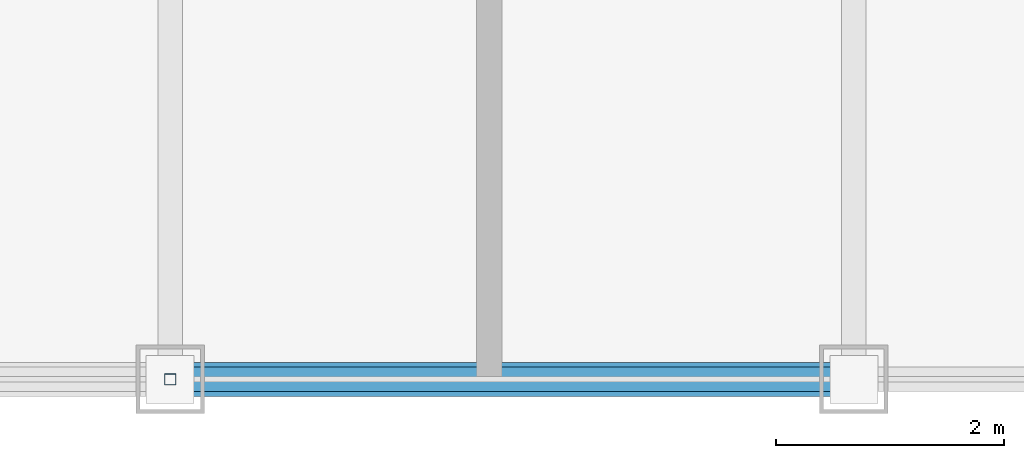
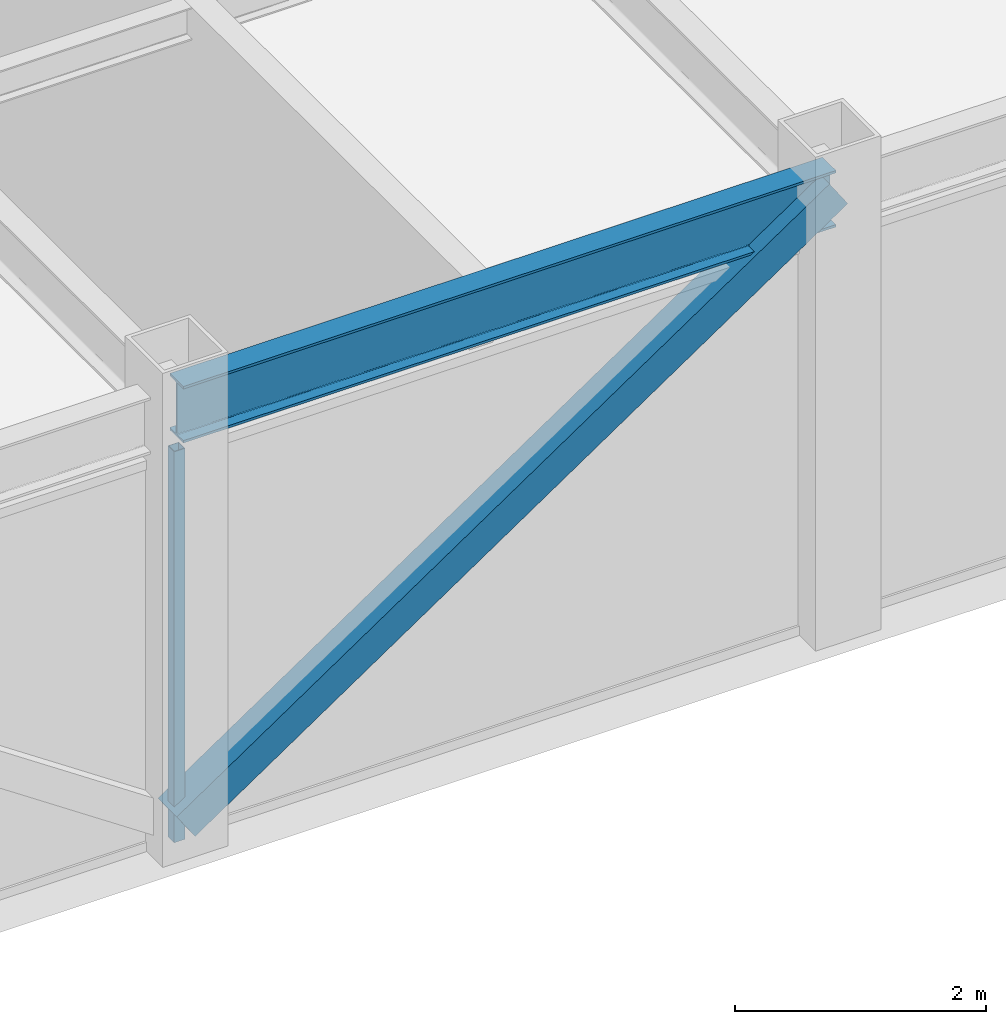
# One storey, part 4 of 27: 2 members, 1 beam, 1 element without a shape of its own.
"""IFC4 building model written with IfcOpenShell, lengths in metres."""

import ifcopenshell
import ifcopenshell.guid

model = None  # the IFC model being written
_history = None  # IfcOwnerHistory: only IFC2X3 demands one
_inside = {}  # id of a spatial element -> (the spatial element, [elements in it])
_under = {}  # id of a project, library or spatial element -> (it, [spatial elements below it])
_declared = {}  # id of a project -> (the project, [libraries it declares])
_typed = {}  # id of a type object -> (the type object, [elements of that type])
_made_of = {}  # id of a material, layer set ... -> (it, [elements and type objects made of it])


def new_model(schema):
    """Start an empty IFC model of exactly this schema.

    Asked for "IFC4X3", IfcOpenShell would pick the latest addendum, in which some entities
    have other attributes; the version numbers below select the first issue.
    IFC2X3 requires an IfcOwnerHistory on every rooted entity: one is made here for all.
    """
    global model, _history
    if schema == "IFC4X3":
        model = ifcopenshell.file(schema_version=(4, 3, 0, 0))
    else:
        model = ifcopenshell.file(schema=schema)
    _inside.clear()
    _under.clear()
    _declared.clear()
    _typed.clear()
    _made_of.clear()
    _history = None
    if model.schema == "IFC2X3":
        org = make("IfcOrganization", Name="unknown")
        user = make(
            "IfcPersonAndOrganization",
            ThePerson=make("IfcPerson", FamilyName="unknown"),
            TheOrganization=org,
        )
        app = make(
            "IfcApplication",
            ApplicationDeveloper=org,
            Version="unknown",
            ApplicationFullName="unknown",
            ApplicationIdentifier="unknown",
        )
        _history = make(
            "IfcOwnerHistory",
            OwningUser=user,
            OwningApplication=app,
            ChangeAction="ADDED",
            CreationDate=0,
        )
    return model


def make(cls, **values):
    """One entity of the class cls with the attributes given. An attribute that is None is left unset."""
    return model.create_entity(
        cls, **{name: value for name, value in values.items() if value is not None}
    )


def rooted(cls, **values):
    """An entity with a GlobalId (a new one), such as an element, a storey or a relation."""
    return make(cls, GlobalId=ifcopenshell.guid.new(), OwnerHistory=_history, **values)


def si_unit(unit_type, name, prefix=None):
    """IfcSIUnit, for example si_unit("LENGTHUNIT", "METRE", prefix="MILLI")."""
    return make("IfcSIUnit", UnitType=unit_type, Prefix=prefix, Name=name)


def assignment(units):
    """IfcUnitAssignment: the units of a project."""
    return None if units is None else make("IfcUnitAssignment", Units=units)


def point(xyz):
    """IfcCartesianPoint."""
    return None if xyz is None else make("IfcCartesianPoint", Coordinates=xyz)


def direction(xyz):
    """IfcDirection."""
    return None if xyz is None else make("IfcDirection", DirectionRatios=xyz)


def frame(location, z_axis=None, x_axis=None):
    """IfcAxis2Placement3D, a coordinate frame: its origin and axes. An axis left out is left unset."""
    return make(
        "IfcAxis2Placement3D",
        Location=point(location),
        Axis=direction(z_axis),
        RefDirection=direction(x_axis),
    )


def frame_2d(location, x_axis=None):
    """IfcAxis2Placement2D, a coordinate frame in the plane: its origin and x axis."""
    return make(
        "IfcAxis2Placement2D", Location=point(location), RefDirection=direction(x_axis)
    )


def origin():
    """The frame at (0, 0, 0) with its axes left unset."""
    return frame((0.0, 0.0, 0.0))


def origin_2d():
    """The frame at (0, 0) in the plane with its x axis left unset."""
    return frame_2d((0.0, 0.0))


def place(relative_to, where):
    """IfcLocalPlacement: puts the frame where relative to a parent placement (None: the world)."""
    return make(
        "IfcLocalPlacement", PlacementRelTo=relative_to, RelativePlacement=where
    )


def context(
    kind, dimensions, precision=None, world=None, true_north=None, identifier=None
):
    """IfcGeometricRepresentationContext, for example the 3D "Model" context."""
    return make(
        "IfcGeometricRepresentationContext",
        ContextIdentifier=identifier,
        ContextType=kind,
        CoordinateSpaceDimension=dimensions,
        Precision=precision,
        WorldCoordinateSystem=world,
        TrueNorth=true_north,
    )


def subcontext(parent, identifier, kind, view, scale=None):
    """IfcGeometricRepresentationSubContext, for example "Body" below "Model"."""
    return make(
        "IfcGeometricRepresentationSubContext",
        ContextIdentifier=identifier,
        ContextType=kind,
        ParentContext=parent,
        TargetScale=scale,
        TargetView=view,
    )


def project(units=None, contexts=None):
    """IfcProject with its units and contexts."""
    return rooted(
        "IfcProject",
        Name="project",
        RepresentationContexts=contexts,
        UnitsInContext=assignment(units),
    )


def spatial(cls, under=None, at=None, **own):
    """A site, building, storey or space (cls), placed at a placement, below another one or the project."""
    s = rooted(cls, ObjectPlacement=at, **own)
    if under is not None:
        _under.setdefault(under.id(), (under, []))[1].append(s)
    return s


def profile(cls, at=None, kind="AREA", **sizes):
    """A parametric profile (cls). Its sizes go by their IFC names, for example OverallWidth=200.0."""
    return make(cls, ProfileType=kind, Position=at, **sizes)


def hollow_rectangle(**sizes):
    """IfcRectangleHollowProfileDef."""
    return profile("IfcRectangleHollowProfileDef", **sizes)


def i_section(**sizes):
    """IfcIShapeProfileDef."""
    return profile("IfcIShapeProfileDef", **sizes)


def extrude(swept, where, along, depth):
    """IfcExtrudedAreaSolid: the profile swept, set in the frame where, extruded along a direction by depth."""
    return make(
        "IfcExtrudedAreaSolid",
        SweptArea=swept,
        Position=where,
        ExtrudedDirection=direction(along),
        Depth=depth,
    )


def shape(context_of_items, identifier, shape_type, items):
    """IfcShapeRepresentation: the items that make up one representation, for example the "Body"."""
    return make(
        "IfcShapeRepresentation",
        ContextOfItems=context_of_items,
        RepresentationIdentifier=identifier,
        RepresentationType=shape_type,
        Items=items,
    )


def source(mapping_origin, context_of_items, identifier, shape_type, items):
    """IfcRepresentationMap: a shape defined once, which mapped items show again and again."""
    return make(
        "IfcRepresentationMap",
        MappingOrigin=mapping_origin,
        MappedRepresentation=shape(context_of_items, identifier, shape_type, items),
    )


def transform(
    local_origin,
    x_axis=None,
    y_axis=None,
    z_axis=None,
    scale=None,
    scale2=None,
    scale3=None,
    uniform=True,
):
    """IfcCartesianTransformationOperator3D, or its non-uniform kind. x_axis, y_axis, z_axis: its Axis1, 2, 3."""
    if uniform:
        return make(
            "IfcCartesianTransformationOperator3D",
            Axis1=direction(x_axis),
            Axis2=direction(y_axis),
            LocalOrigin=point(local_origin),
            Scale=scale,
            Axis3=direction(z_axis),
        )
    return make(
        "IfcCartesianTransformationOperator3DnonUniform",
        Axis1=direction(x_axis),
        Axis2=direction(y_axis),
        LocalOrigin=point(local_origin),
        Scale=scale,
        Axis3=direction(z_axis),
        Scale2=scale2,
        Scale3=scale3,
    )


def mapped(mapping_source, mapping_target):
    """IfcMappedItem: shows the shape of a source again, moved by a transform."""
    return make(
        "IfcMappedItem", MappingSource=mapping_source, MappingTarget=mapping_target
    )


def material(Name=None, Category=None):
    """IfcMaterial."""
    return make("IfcMaterial", Name=Name, Category=Category)


def material_profile(
    of_material, cross_section, Name=None, Category=None, Priority=None
):
    """IfcMaterialProfile: a cross section and its material."""
    return make(
        "IfcMaterialProfile",
        Name=Name,
        Material=of_material,
        Profile=cross_section,
        Priority=Priority,
        Category=Category,
    )


def profile_set(profiles, Name=None, composite=None):
    """IfcMaterialProfileSet."""
    return make(
        "IfcMaterialProfileSet",
        Name=Name,
        MaterialProfiles=profiles,
        CompositeProfile=composite,
    )


def made_of(thing, what):
    """Note that an element or type object is made of a material, layer set ...; save() writes the relation."""
    if what is not None:
        _made_of.setdefault(what.id(), (what, []))[1].append(thing)
    return thing


def type_object(cls, material=None, **own):
    """A type object (cls), such as IfcWallType, which elements share."""
    return made_of(rooted(cls, **own), material)


def element(
    cls,
    number,
    at=None,
    inside=None,
    cuts=None,
    type_object=None,
    material=None,
    context=None,
    identifier="Body",
    shape_type=None,
    held_by="IfcProductDefinitionShape",
    body=None,
    shapes=None,
    **own,
):
    """One element of the class cls, such as IfcWall. Its Tag is "e" and its number.

    at: its placement. inside: the storey or other place that contains it. cuts: it is an
    opening in that element (IfcRelVoidsElement). A single representation is given by context,
    identifier, shape_type and body (its items); several are given by shapes. held_by: the class
    of the entity that holds the representations. save() writes the other relations.
    """
    e = rooted(cls, Tag="e%d" % number, ObjectPlacement=at, **own)
    if body is not None:
        shapes = [shape(context, identifier, shape_type, body)]
    if shapes is not None:
        e.Representation = make(held_by, Representations=shapes)
    if inside is not None:
        _inside.setdefault(inside.id(), (inside, []))[1].append(e)
    if cuts is not None:
        rooted(
            "IfcRelVoidsElement", RelatingBuildingElement=cuts, RelatedOpeningElement=e
        )
    if type_object is not None:
        _typed.setdefault(type_object.id(), (type_object, []))[1].append(e)
    return made_of(e, material)


def aggregate(whole, parts):
    """IfcRelAggregates: a whole, such as a stair, and the parts it consists of."""
    return rooted("IfcRelAggregates", RelatingObject=whole, RelatedObjects=parts)


def save(model, path):
    """Write the relations noted so far, then the file.

    IfcRelAggregates (storeys below a building ...), IfcRelContainedInSpatialStructure (elements
    in a storey), IfcRelDefinesByType, IfcRelAssociatesMaterial and IfcRelDeclares: one each for
    every whole, place, type object, material and project.
    """
    for whole, parts in _under.values():
        aggregate(whole, parts)
    for where, things in _inside.values():
        rooted(
            "IfcRelContainedInSpatialStructure",
            RelatedElements=things,
            RelatingStructure=where,
        )
    for kind, things in _typed.values():
        rooted("IfcRelDefinesByType", RelatedObjects=things, RelatingType=kind)
    for what, things in _made_of.values():
        rooted("IfcRelAssociatesMaterial", RelatedObjects=things, RelatingMaterial=what)
    for by, libraries in _declared.values():
        rooted("IfcRelDeclares", RelatingContext=by, RelatedDefinitions=libraries)
    model.write(path)


model = new_model("IFC4")

# Units and contexts
model_context = context("Model", 3, precision=1e-05, world=origin(), true_north=direction((0.0, 1.0)))
body_context = subcontext(model_context, "Body", "Model", "MODEL_VIEW")
ifc_project = project(units=[si_unit("LENGTHUNIT", "METRE"), si_unit("AREAUNIT", "SQUARE_METRE"), si_unit("VOLUMEUNIT", "CUBIC_METRE"), si_unit("PLANEANGLEUNIT", "RADIAN"), si_unit("MASSUNIT", "GRAM", prefix="KILO")], contexts=[model_context])

# Site, building, storey
site_placement = place(None, origin())
site = spatial("IfcSite", under=ifc_project, at=site_placement, CompositionType="ELEMENT")
building_placement = place(site_placement, origin())
building = spatial("IfcBuilding", under=site, at=building_placement, Name="Khorayat Bourse Tower", CompositionType="ELEMENT")
storey_placement = place(building_placement, frame((0.0, 0.0, 389.89990234375)))
storey = spatial("IfcBuildingStorey", under=building, at=storey_placement, Name="L92", CompositionType="ELEMENT", Elevation=389.89990234375)

# Beam
ifc_material_1 = material(Name="Steel ASTM A992 Grade 50", Category="steel")
ifc_material_profile_1 = material_profile(ifc_material_1, i_section(OverallWidth=0.214111328125, OverallDepth=0.549072265625, WebThickness=0.0146484375, FlangeThickness=0.023681640625, FilletRadius=0.013916015625, at=origin_2d()), Name="W530X138")
ifc_profile_set_1 = profile_set([ifc_material_profile_1], Name="Steel ASTM A992 Grade 50")
beam_type = type_object("IfcBeamType", Name="BM-SPAN-530", PredefinedType="SPANDREL", material=ifc_profile_set_1)
shared_shape_1 = source(origin(), body_context, "Body", "SweptSolid", [
    extrude(i_section(OverallWidth=0.214111328125, OverallDepth=0.549072265625, WebThickness=0.0146484375, FlangeThickness=0.023681640625, FilletRadius=0.013916015625, at=origin_2d()), origin(), (0.0, 0.0, 1.0), 6.0),
])
beam_placement = place(storey_placement, frame((0.0, -24.0, 4.175537109375), z_axis=(1.0, 0.0, 0.0), x_axis=(0.0, 1.0, 0.0)))
element("IfcBeam", 1, at=beam_placement, inside=storey, type_object=beam_type, Name="L92 BM-SPAN-530 BM-L92-SPN-027", PredefinedType="SPANDREL", context=body_context, shape_type="MappedRepresentation", body=[
    mapped(shared_shape_1, transform((0.0, 0.0, 0.0), scale=1.0)),
])

# Member
ifc_material_2 = material(Name="Steel EN 10025-2 S355J2", Category="steel")
ifc_material_profile_2 = material_profile(ifc_material_2, hollow_rectangle(XDim=0.300048828125, YDim=0.300048828125, WallThickness=0.01611328125, at=origin_2d()), Name="HSS 300x300x16")
ifc_profile_set_2 = profile_set([ifc_material_profile_2], Name="Steel EN 10025-2 S355J2")
member_type_1 = type_object("IfcMemberType", Name="MBR-CROWN-300", PredefinedType="USERDEFINED", material=ifc_profile_set_2)
shared_shape_2 = source(origin(), body_context, "Body", "SweptSolid", [
    extrude(hollow_rectangle(XDim=0.300048828125, YDim=0.300048828125, WallThickness=0.01611328125, at=origin_2d()), origin(), (0.0, 0.0, 1.0), 7.23876953125),
])
member_1_placement = place(storey_placement, frame((0.0, -24.0, 0.2001953125), z_axis=(0.828861185526, 0.0, 0.559454319072), x_axis=(0.0, 1.0, 0.0)))
element("IfcMember", 2, at=member_1_placement, inside=storey, type_object=member_type_1, Name="L92 Lantern Crown Frame Member 03", ObjectType="CROWN FRAME", PredefinedType="USERDEFINED", context=body_context, shape_type="MappedRepresentation", body=[
    mapped(shared_shape_2, transform((0.0, 0.0, 0.0), scale=1.0)),
])

# Curtain wall, member
ifc_material_3 = material(Name="Aluminium EN AW-6063 T6", Category="aluminium")
curtain_wall_type = type_object("IfcCurtainWallType", Name="CW-SYS-07", PredefinedType="NOTDEFINED", material=ifc_material_3)
curtain_wall_placement = place(storey_placement, origin())
curtain_wall = element("IfcCurtainWall", 3, at=curtain_wall_placement, inside=storey, type_object=curtain_wall_type, Name="L92 Curtain Wall CW-L92-S1", PredefinedType="NOTDEFINED")
ifc_material_profile_3 = material_profile(ifc_material_3, hollow_rectangle(XDim=0.10009765625, YDim=0.10009765625, WallThickness=0.0048828125, at=origin_2d()), Name="ALU 100x100x5")
ifc_profile_set_3 = profile_set([ifc_material_profile_3], Name="Aluminium EN AW-6063 T6")
member_type_2 = type_object("IfcMemberType", Name="CWM-LANTERN-100", PredefinedType="MULLION", material=ifc_profile_set_3)
shared_shape_3 = source(origin(), body_context, "Body", "SweptSolid", [
    extrude(hollow_rectangle(XDim=0.10009765625, YDim=0.10009765625, WallThickness=0.0048828125, at=origin_2d()), origin(), (0.0, 0.0, 1.0), 3.800048828125),
])
member_2_placement = place(storey_placement, frame((0.0, -24.0, 0.0), z_axis=(0.0, 0.0, 1.0), x_axis=(0.0, 1.0, 0.0)))
member_2 = element("IfcMember", 4, at=member_2_placement, type_object=member_type_2, Name="CW-L92-S1 Vertical Mullion 2", PredefinedType="MULLION", context=body_context, shape_type="MappedRepresentation", body=[
    mapped(shared_shape_3, transform((0.0, 0.0, 0.0), scale=1.0)),
])
aggregate(curtain_wall, [member_2])

save(model, "model.ifc")
